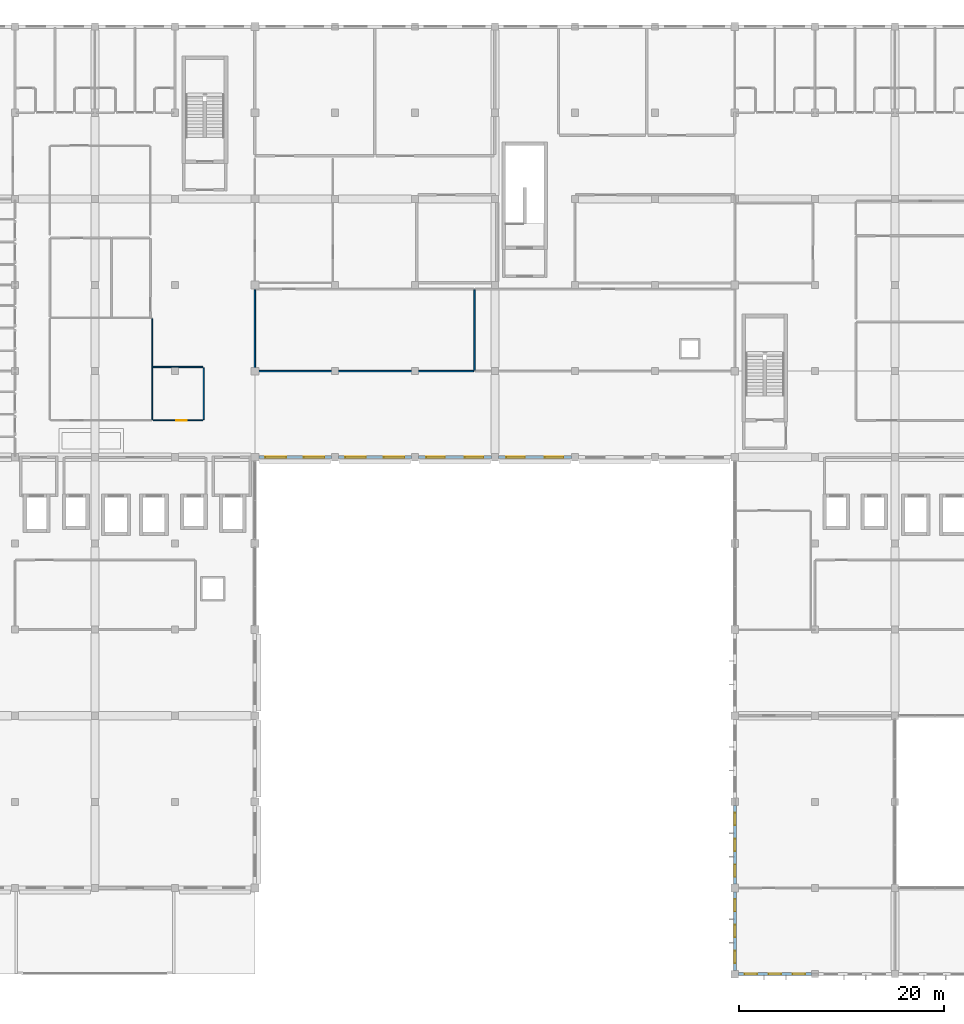
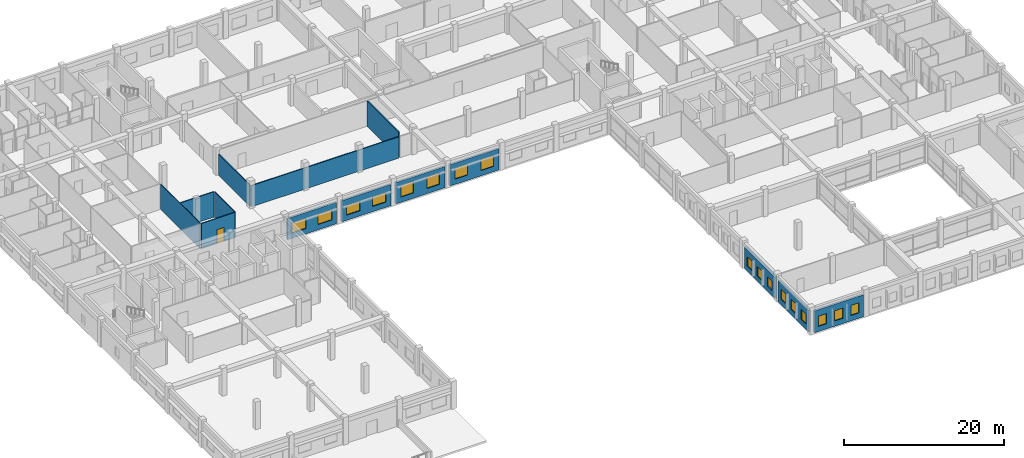
# One storey, part 30 of 53: 17 windows, 14 walls, 1 door, 18 openings.
"""IFC4 building model written with IfcOpenShell, lengths in metres."""

from ifc_helpers import new_model, si_unit, direction, frame, frame_2d, origin, place, context, subcontext, project, spatial, rectangle, extrude, material, layer, layer_set, type_object, element, fill, save


model = new_model("IFC4")

# Units and contexts
model_context = context("Model", 3, precision=1e-05, world=origin(), true_north=direction((0.0, 1.0)))
body_context = subcontext(model_context, "Body", "Model", "MODEL_VIEW")
ifc_project = project(units=[si_unit("LENGTHUNIT", "METRE"), si_unit("AREAUNIT", "SQUARE_METRE"), si_unit("VOLUMEUNIT", "CUBIC_METRE"), si_unit("PLANEANGLEUNIT", "RADIAN"), si_unit("MASSUNIT", "GRAM", prefix="KILO"), si_unit("THERMODYNAMICTEMPERATUREUNIT", "KELVIN"), si_unit("POWERUNIT", "WATT")], contexts=[model_context])

# Site, building, storey
site_placement = place(None, origin())
site = spatial("IfcSite", under=ifc_project, at=site_placement, CompositionType="ELEMENT")
building_placement = place(site_placement, origin())
building = spatial("IfcBuilding", under=site, at=building_placement, Name="Srebrne Nadtorze General Hospital", CompositionType="ELEMENT")
storey_placement = place(building_placement, frame((0.0, 0.0, 18.0)))
storey = spatial("IfcBuildingStorey", under=building, at=storey_placement, Name="L04", CompositionType="ELEMENT", Elevation=18.0)

# Walls
ifc_material_1 = material(Name="Gypsum Healthcare Partition")
ifc_layer_1 = layer(ifc_material_1, 0.139892578125)
ifc_layer_set_1 = layer_set([ifc_layer_1], Name="Gypsum Healthcare Partition")
wall_type_1 = type_object("IfcWallType", Name="Clinical partition 140", PredefinedType="PARTITIONING", material=ifc_layer_set_1)
wall_1_placement = place(storey_placement, frame((54.68505859375, 58.800048828125, 0.0), z_axis=(0.0, 0.0, 1.0), x_axis=(1.0, 0.0, 0.0)))
element("IfcWall", 1, at=wall_1_placement, inside=storey, type_object=wall_type_1, Name="Surgical Recovery Ward wall WL-INT-L04-1894", PredefinedType="PARTITIONING", context=body_context, shape_type="SweptSolid", body=[
    extrude(rectangle(XDim=21.22998046875, YDim=0.139892578125, at=frame_2d((10.614990234375, 0.0))), origin(), (0.0, 0.0, 1.0), 3.235107421875),
])
wall_2_placement = place(storey_placement, frame((54.60009765625, 58.885009765625, 0.0), z_axis=(0.0, 0.0, 1.0), x_axis=(0.0, 1.0, 0.0)))
element("IfcWall", 2, at=wall_2_placement, inside=storey, type_object=wall_type_1, Name="Surgical Recovery Ward wall WL-INT-L04-1895", PredefinedType="PARTITIONING", context=body_context, shape_type="SweptSolid", body=[
    extrude(rectangle(XDim=7.830078125, YDim=0.139892578125, at=frame_2d((3.9150390625, 0.0))), origin(), (0.0, 0.0, 1.0), 3.235107421875),
])
wall_3_placement = place(storey_placement, frame((76.0, 58.885009765625, 0.0), z_axis=(0.0, 0.0, 1.0), x_axis=(0.0, 1.0, 0.0)))
element("IfcWall", 3, at=wall_3_placement, inside=storey, type_object=wall_type_1, Name="Surgical Recovery Ward wall WL-INT-L04-1896", PredefinedType="PARTITIONING", context=body_context, shape_type="SweptSolid", body=[
    extrude(rectangle(XDim=7.830078125, YDim=0.139892578125, at=frame_2d((3.9150390625, 0.0))), origin(), (0.0, 0.0, 1.0), 3.864990234375),
])

# Wall, opening, door
ifc_material_2 = material(Name="Gypsum Healthcare Partition")
ifc_layer_2 = layer(ifc_material_2, 0.1201171875)
ifc_layer_set_2 = layer_set([ifc_layer_2], Name="Gypsum Healthcare Partition")
wall_type_2 = type_object("IfcWallType", Name="En-suite partition 120", PredefinedType="PARTITIONING", material=ifc_layer_set_2)
wall_4_placement = place(storey_placement, frame((44.68505859375, 54.0, 0.0), z_axis=(0.0, 0.0, 1.0), x_axis=(1.0, 0.0, 0.0)))
wall_4 = element("IfcWall", 4, at=wall_4_placement, inside=storey, type_object=wall_type_2, Name="Accessible WC wall WL-INT-L04-1829", PredefinedType="PARTITIONING", context=body_context, shape_type="SweptSolid", body=[
    extrude(rectangle(XDim=4.829833984375, YDim=0.1201171875, at=frame_2d((2.4150390625, 0.0))), origin(), (0.0, 0.0, 1.0), 3.864990234375),
])
opening_1_placement = place(wall_4_placement, frame((2.236083984375, 0.0, 0.0)))
opening_1 = element("IfcOpeningElement", 5, at=opening_1_placement, cuts=wall_4, Name="Opening D-L04-0346", PredefinedType="OPENING", context=body_context, shape_type="SweptSolid", body=[
    extrude(rectangle(XDim=1.02001953125, YDim=2.14990234375, at=frame_2d((0.510009765625, 1.074951171875))), frame((0.0, 0.072021484375, 0.0), z_axis=(0.0, -1.0, 0.0), x_axis=(1.0, 0.0, 0.0)), (0.0, 0.0, 1.0), 0.14404296875),
])
ifc_material_3 = material(Name="Anodised Aluminium", Category="aluminium")
door_type = type_object("IfcDoorType", Name="Single leaf door 1020x2150", OperationType="NOTDEFINED", PredefinedType="DOOR", material=ifc_material_3)
door_placement = place(opening_1_placement, origin())
door = element("IfcDoor", 6, at=door_placement, inside=storey, type_object=door_type, Name="Accessible WC door D-L04-0346", OperationType="SINGLE_SWING_RIGHT", OverallHeight=2.14990234375, OverallWidth=1.02001953125, PredefinedType="DOOR", context=body_context, shape_type="SweptSolid", body=[
    extrude(rectangle(XDim=1.02001953125, YDim=2.14990234375, at=frame_2d((0.510009765625, 1.074951171875))), frame((0.0, 0.02490234375, 0.0), z_axis=(0.0, -1.0, 0.0), x_axis=(1.0, 0.0, 0.0)), (0.0, 0.0, 1.0), 0.050048828125),
])
fill(opening_1, door)

# Walls
wall_5_placement = place(storey_placement, frame((44.68505859375, 59.199951171875, 0.0), z_axis=(0.0, 0.0, 1.0), x_axis=(1.0, 0.0, 0.0)))
element("IfcWall", 7, at=wall_5_placement, inside=storey, type_object=wall_type_2, Name="Accessible WC wall WL-INT-L04-1830", PredefinedType="PARTITIONING", context=body_context, shape_type="SweptSolid", body=[
    extrude(rectangle(XDim=4.829833984375, YDim=0.1201171875, at=frame_2d((2.4150390625, 0.0))), origin(), (0.0, 0.0, 1.0), 3.864990234375),
])
wall_6_placement = place(storey_placement, frame((49.60009765625, 54.0849609375, 0.0), z_axis=(0.0, 0.0, 1.0), x_axis=(0.0, 1.0, 0.0)))
element("IfcWall", 8, at=wall_6_placement, inside=storey, type_object=wall_type_2, Name="Accessible WC wall WL-INT-L04-1831", PredefinedType="PARTITIONING", context=body_context, shape_type="SweptSolid", body=[
    extrude(rectangle(XDim=5.030029296875, YDim=0.1201171875, at=frame_2d((2.51513671875, 0.0))), origin(), (0.0, 0.0, 1.0), 3.864990234375),
])

# Wall, openings, windows
ifc_material_4 = material(Name="Concrete C40/50 precast", Category="concrete")
ifc_layer_3 = layer(ifc_material_4, 0.300048828125)
ifc_layer_set_3 = layer_set([ifc_layer_3], Name="Concrete C40/50 precast")
wall_type_3 = type_object("IfcWallType", Name="Limestone precast wall 300", PredefinedType="STANDARD", material=ifc_layer_set_3)
wall_7_placement = place(storey_placement, frame((101.77490234375, 0.0, 0.0), z_axis=(0.0, 0.0, 1.0), x_axis=(1.0, 0.0, 0.0)))
wall_7 = element("IfcWall", 9, at=wall_7_placement, inside=storey, type_object=wall_type_3, Name="Exterior wall WL-ENV-L04-0344", PredefinedType="STANDARD", context=body_context, shape_type="SweptSolid", body=[
    extrude(rectangle(XDim=7.0751953125, YDim=0.300048828125, at=frame_2d((3.53759765625, 0.0))), origin(), (0.0, 0.0, 1.0), 3.3349609375),
])
opening_2_placement = place(wall_7_placement, frame((0.5849609375, 0.0, 0.800048828125)))
opening_2 = element("IfcOpeningElement", 10, at=opening_2_placement, cuts=wall_7, Name="Opening WN-L04-0507", PredefinedType="OPENING", context=body_context, shape_type="SweptSolid", body=[
    extrude(rectangle(XDim=1.199951171875, YDim=1.550048828125, at=frame_2d((0.60009765625, 0.77490234375))), frame((0.0, 0.162109375, 0.0), z_axis=(0.0, -1.0, 0.0), x_axis=(1.0, 0.0, 0.0)), (0.0, 0.0, 1.0), 0.323974609375),
])
opening_3_placement = place(wall_7_placement, frame((2.925048828125, 0.0, 0.800048828125)))
opening_3 = element("IfcOpeningElement", 11, at=opening_3_placement, cuts=wall_7, Name="Opening WN-L04-0508", PredefinedType="OPENING", context=body_context, shape_type="SweptSolid", body=[
    extrude(rectangle(XDim=1.199951171875, YDim=1.550048828125, at=frame_2d((0.60009765625, 0.77490234375))), frame((0.0, 0.162109375, 0.0), z_axis=(0.0, -1.0, 0.0), x_axis=(1.0, 0.0, 0.0)), (0.0, 0.0, 1.0), 0.323974609375),
])
opening_4_placement = place(wall_7_placement, frame((5.264892578125, 0.0, 0.800048828125)))
opening_4 = element("IfcOpeningElement", 12, at=opening_4_placement, cuts=wall_7, Name="Opening WN-L04-0509", PredefinedType="OPENING", context=body_context, shape_type="SweptSolid", body=[
    extrude(rectangle(XDim=1.199951171875, YDim=1.550048828125, at=frame_2d((0.60009765625, 0.77490234375))), frame((0.0, 0.162109375, 0.0), z_axis=(0.0, -1.0, 0.0), x_axis=(1.0, 0.0, 0.0)), (0.0, 0.0, 1.0), 0.323974609375),
])
ifc_material_5 = material(Name="Triple Low-E Glazing", Category="glass")
window_type_1 = type_object("IfcWindowType", Name="Punched clinical window 1200x1550", PartitioningType="SINGLE_PANEL", PredefinedType="WINDOW", material=ifc_material_5)
window_1_placement = place(opening_2_placement, origin())
window_1 = element("IfcWindow", 13, at=window_1_placement, inside=storey, type_object=window_type_1, Name="Clinical window WN-L04-0507", OverallHeight=1.550048828125, OverallWidth=1.199951171875, PartitioningType="SINGLE_PANEL", PredefinedType="WINDOW", context=body_context, shape_type="SweptSolid", body=[
    extrude(rectangle(XDim=1.199951171875, YDim=1.550048828125, at=frame_2d((0.60009765625, 0.77490234375))), frame((0.0, 0.030029296875, 0.0), z_axis=(0.0, -1.0, 0.0), x_axis=(1.0, 0.0, 0.0)), (0.0, 0.0, 1.0), 0.06005859375),
])
fill(opening_2, window_1)
window_2_placement = place(opening_3_placement, origin())
window_2 = element("IfcWindow", 14, at=window_2_placement, inside=storey, type_object=window_type_1, Name="Clinical window WN-L04-0508", OverallHeight=1.550048828125, OverallWidth=1.199951171875, PartitioningType="SINGLE_PANEL", PredefinedType="WINDOW", context=body_context, shape_type="SweptSolid", body=[
    extrude(rectangle(XDim=1.199951171875, YDim=1.550048828125, at=frame_2d((0.60009765625, 0.77490234375))), frame((0.0, 0.030029296875, 0.0), z_axis=(0.0, -1.0, 0.0), x_axis=(1.0, 0.0, 0.0)), (0.0, 0.0, 1.0), 0.06005859375),
])
fill(opening_3, window_2)
window_3_placement = place(opening_4_placement, origin())
window_3 = element("IfcWindow", 15, at=window_3_placement, inside=storey, type_object=window_type_1, Name="Clinical window WN-L04-0509", OverallHeight=1.550048828125, OverallWidth=1.199951171875, PartitioningType="SINGLE_PANEL", PredefinedType="WINDOW", context=body_context, shape_type="SweptSolid", body=[
    extrude(rectangle(XDim=1.199951171875, YDim=1.550048828125, at=frame_2d((0.60009765625, 0.77490234375))), frame((0.0, 0.030029296875, 0.0), z_axis=(0.0, -1.0, 0.0), x_axis=(1.0, 0.0, 0.0)), (0.0, 0.0, 1.0), 0.06005859375),
])
fill(opening_4, window_3)

wall_8_placement = place(storey_placement, frame((101.39990234375, 0.375, 0.0), z_axis=(0.0, 0.0, 1.0), x_axis=(0.0, 1.0, 0.0)))
wall_8 = element("IfcWall", 16, at=wall_8_placement, inside=storey, type_object=wall_type_3, Name="Exterior wall WL-ENV-L04-0389", PredefinedType="STANDARD", context=body_context, shape_type="SweptSolid", body=[
    extrude(rectangle(XDim=7.64990234375, YDim=0.300048828125, at=frame_2d((3.824951171875, 0.0))), origin(), (0.0, 0.0, 1.0), 3.235107421875),
])
opening_5_placement = place(wall_8_placement, frame((0.705078125, 0.0, 0.800048828125)))
opening_5 = element("IfcOpeningElement", 17, at=opening_5_placement, cuts=wall_8, Name="Opening WN-L04-0597", PredefinedType="OPENING", context=body_context, shape_type="SweptSolid", body=[
    extrude(rectangle(XDim=1.199951171875, YDim=1.550048828125, at=frame_2d((0.60009765625, 0.77490234375))), frame((0.0, 0.162109375, 0.0), z_axis=(0.0, -1.0, 0.0), x_axis=(1.0, 0.0, 0.0)), (0.0, 0.0, 1.0), 0.323974609375),
])
opening_6_placement = place(wall_8_placement, frame((3.22509765625, 0.0, 0.800048828125)))
opening_6 = element("IfcOpeningElement", 18, at=opening_6_placement, cuts=wall_8, Name="Opening WN-L04-0598", PredefinedType="OPENING", context=body_context, shape_type="SweptSolid", body=[
    extrude(rectangle(XDim=1.199951171875, YDim=1.550048828125, at=frame_2d((0.60009765625, 0.77490234375))), frame((0.0, 0.162109375, 0.0), z_axis=(0.0, -1.0, 0.0), x_axis=(1.0, 0.0, 0.0)), (0.0, 0.0, 1.0), 0.323974609375),
])
opening_7_placement = place(wall_8_placement, frame((5.7451171875, 0.0, 0.800048828125)))
opening_7 = element("IfcOpeningElement", 19, at=opening_7_placement, cuts=wall_8, Name="Opening WN-L04-0599", PredefinedType="OPENING", context=body_context, shape_type="SweptSolid", body=[
    extrude(rectangle(XDim=1.199951171875, YDim=1.550048828125, at=frame_2d((0.60009765625, 0.77490234375))), frame((0.0, 0.162109375, 0.0), z_axis=(0.0, -1.0, 0.0), x_axis=(1.0, 0.0, 0.0)), (0.0, 0.0, 1.0), 0.323974609375),
])
window_4_placement = place(opening_5_placement, origin())
window_4 = element("IfcWindow", 20, at=window_4_placement, inside=storey, type_object=window_type_1, Name="Clinical window WN-L04-0597", OverallHeight=1.550048828125, OverallWidth=1.199951171875, PartitioningType="SINGLE_PANEL", PredefinedType="WINDOW", context=body_context, shape_type="SweptSolid", body=[
    extrude(rectangle(XDim=1.199951171875, YDim=1.550048828125, at=frame_2d((0.60009765625, 0.77490234375))), frame((0.0, 0.030029296875, 0.0), z_axis=(0.0, -1.0, 0.0), x_axis=(1.0, 0.0, 0.0)), (0.0, 0.0, 1.0), 0.06005859375),
])
fill(opening_5, window_4)
window_5_placement = place(opening_6_placement, origin())
window_5 = element("IfcWindow", 21, at=window_5_placement, inside=storey, type_object=window_type_1, Name="Clinical window WN-L04-0598", OverallHeight=1.550048828125, OverallWidth=1.199951171875, PartitioningType="SINGLE_PANEL", PredefinedType="WINDOW", context=body_context, shape_type="SweptSolid", body=[
    extrude(rectangle(XDim=1.199951171875, YDim=1.550048828125, at=frame_2d((0.60009765625, 0.77490234375))), frame((0.0, 0.030029296875, 0.0), z_axis=(0.0, -1.0, 0.0), x_axis=(1.0, 0.0, 0.0)), (0.0, 0.0, 1.0), 0.06005859375),
])
fill(opening_6, window_5)
window_6_placement = place(opening_7_placement, origin())
window_6 = element("IfcWindow", 22, at=window_6_placement, inside=storey, type_object=window_type_1, Name="Clinical window WN-L04-0599", OverallHeight=1.550048828125, OverallWidth=1.199951171875, PartitioningType="SINGLE_PANEL", PredefinedType="WINDOW", context=body_context, shape_type="SweptSolid", body=[
    extrude(rectangle(XDim=1.199951171875, YDim=1.550048828125, at=frame_2d((0.60009765625, 0.77490234375))), frame((0.0, 0.030029296875, 0.0), z_axis=(0.0, -1.0, 0.0), x_axis=(1.0, 0.0, 0.0)), (0.0, 0.0, 1.0), 0.06005859375),
])
fill(opening_7, window_6)

wall_9_placement = place(storey_placement, frame((101.39990234375, 8.77490234375, 0.0), z_axis=(0.0, 0.0, 1.0), x_axis=(0.0, 1.0, 0.0)))
wall_9 = element("IfcWall", 23, at=wall_9_placement, inside=storey, type_object=wall_type_3, Name="Exterior wall WL-ENV-L04-0390", PredefinedType="STANDARD", context=body_context, shape_type="SweptSolid", body=[
    extrude(rectangle(XDim=7.650146484375, YDim=0.300048828125, at=frame_2d((3.8251953125, 0.0))), origin(), (0.0, 0.0, 1.0), 3.235107421875),
])
opening_8_placement = place(wall_9_placement, frame((0.705078125, 0.0, 0.800048828125)))
opening_8 = element("IfcOpeningElement", 24, at=opening_8_placement, cuts=wall_9, Name="Opening WN-L04-0600", PredefinedType="OPENING", context=body_context, shape_type="SweptSolid", body=[
    extrude(rectangle(XDim=1.199951171875, YDim=1.39990234375, at=frame_2d((0.60009765625, 0.699951171875))), frame((0.0, 0.162109375, 0.0), z_axis=(0.0, -1.0, 0.0), x_axis=(1.0, 0.0, 0.0)), (0.0, 0.0, 1.0), 0.323974609375),
])
opening_9_placement = place(wall_9_placement, frame((3.22509765625, 0.0, 0.800048828125)))
opening_9 = element("IfcOpeningElement", 25, at=opening_9_placement, cuts=wall_9, Name="Opening WN-L04-0601", PredefinedType="OPENING", context=body_context, shape_type="SweptSolid", body=[
    extrude(rectangle(XDim=1.199951171875, YDim=1.39990234375, at=frame_2d((0.60009765625, 0.699951171875))), frame((0.0, 0.162109375, 0.0), z_axis=(0.0, -1.0, 0.0), x_axis=(1.0, 0.0, 0.0)), (0.0, 0.0, 1.0), 0.323974609375),
])
opening_10_placement = place(wall_9_placement, frame((5.7451171875, 0.0, 0.800048828125)))
opening_10 = element("IfcOpeningElement", 26, at=opening_10_placement, cuts=wall_9, Name="Opening WN-L04-0602", PredefinedType="OPENING", context=body_context, shape_type="SweptSolid", body=[
    extrude(rectangle(XDim=1.199951171875, YDim=1.39990234375, at=frame_2d((0.60009765625, 0.699951171875))), frame((0.0, 0.162109375, 0.0), z_axis=(0.0, -1.0, 0.0), x_axis=(1.0, 0.0, 0.0)), (0.0, 0.0, 1.0), 0.323974609375),
])
ifc_material_6 = material(Name="Triple Low-E Glazing", Category="glass")
window_type_2 = type_object("IfcWindowType", Name="Punched clinical window 1200x1400", PartitioningType="SINGLE_PANEL", PredefinedType="WINDOW", material=ifc_material_6)
window_7_placement = place(opening_8_placement, origin())
window_7 = element("IfcWindow", 27, at=window_7_placement, inside=storey, type_object=window_type_2, Name="Clinical window WN-L04-0600", OverallHeight=1.39990234375, OverallWidth=1.199951171875, PartitioningType="SINGLE_PANEL", PredefinedType="WINDOW", context=body_context, shape_type="SweptSolid", body=[
    extrude(rectangle(XDim=1.199951171875, YDim=1.39990234375, at=frame_2d((0.60009765625, 0.699951171875))), frame((0.0, 0.030029296875, 0.0), z_axis=(0.0, -1.0, 0.0), x_axis=(1.0, 0.0, 0.0)), (0.0, 0.0, 1.0), 0.06005859375),
])
fill(opening_8, window_7)
window_8_placement = place(opening_9_placement, origin())
window_8 = element("IfcWindow", 28, at=window_8_placement, inside=storey, type_object=window_type_2, Name="Clinical window WN-L04-0601", OverallHeight=1.39990234375, OverallWidth=1.199951171875, PartitioningType="SINGLE_PANEL", PredefinedType="WINDOW", context=body_context, shape_type="SweptSolid", body=[
    extrude(rectangle(XDim=1.199951171875, YDim=1.39990234375, at=frame_2d((0.60009765625, 0.699951171875))), frame((0.0, 0.030029296875, 0.0), z_axis=(0.0, -1.0, 0.0), x_axis=(1.0, 0.0, 0.0)), (0.0, 0.0, 1.0), 0.06005859375),
])
fill(opening_9, window_8)
window_9_placement = place(opening_10_placement, origin())
window_9 = element("IfcWindow", 29, at=window_9_placement, inside=storey, type_object=window_type_2, Name="Clinical window WN-L04-0602", OverallHeight=1.39990234375, OverallWidth=1.199951171875, PartitioningType="SINGLE_PANEL", PredefinedType="WINDOW", context=body_context, shape_type="SweptSolid", body=[
    extrude(rectangle(XDim=1.199951171875, YDim=1.39990234375, at=frame_2d((0.60009765625, 0.699951171875))), frame((0.0, 0.030029296875, 0.0), z_axis=(0.0, -1.0, 0.0), x_axis=(1.0, 0.0, 0.0)), (0.0, 0.0, 1.0), 0.06005859375),
])
fill(opening_10, window_9)

# Wall
ifc_material_7 = material(Name="Gypsum Healthcare Partition")
ifc_layer_4 = layer(ifc_material_7, 0.10009765625)
ifc_layer_set_4 = layer_set([ifc_layer_4], Name="Gypsum Healthcare Partition")
wall_type_4 = type_object("IfcWallType", Name="Shaft lining wall 100", PredefinedType="PARTITIONING", material=ifc_layer_set_4)
wall_10_placement = place(storey_placement, frame((44.60009765625, 54.0849609375, 0.0), z_axis=(0.0, 0.0, 1.0), x_axis=(0.0, 1.0, 0.0)))
element("IfcWall", 30, at=wall_10_placement, inside=storey, type_object=wall_type_4, Name="Nursing Station wall WL-INT-L04-1820", PredefinedType="PARTITIONING", context=body_context, shape_type="SweptSolid", body=[
    extrude(rectangle(XDim=9.830078125, YDim=0.10009765625, at=frame_2d((4.9150390625, 0.0))), origin(), (0.0, 0.0, 1.0), 3.864990234375),
])

# Wall, openings, windows
ifc_material_8 = material(Name="Concrete C35/45 precast", Category="concrete")
ifc_layer_5 = layer(ifc_material_8, 0.280029296875)
ifc_layer_set_5 = layer_set([ifc_layer_5], Name="Concrete C35/45 precast")
wall_type_5 = type_object("IfcWallType", Name="Spandrel wall 280", PredefinedType="STANDARD", material=ifc_layer_set_5)
wall_11_placement = place(storey_placement, frame((54.97509765625, 50.39990234375, 0.0), z_axis=(0.0, 0.0, 1.0), x_axis=(1.0, 0.0, 0.0)))
wall_11 = element("IfcWall", 31, at=wall_11_placement, inside=storey, type_object=wall_type_5, Name="Exterior wall WL-ENV-L04-0354", PredefinedType="STANDARD", context=body_context, shape_type="SweptSolid", body=[
    extrude(rectangle(XDim=7.074951171875, YDim=0.280029296875, at=frame_2d((3.53759765625, 0.0))), origin(), (0.0, 0.0, 1.0), 3.235107421875),
])
opening_11_placement = place(wall_11_placement, frame((0.653076171875, 0.0, 0.800048828125)))
opening_11 = element("IfcOpeningElement", 32, at=opening_11_placement, cuts=wall_11, Name="Opening WN-L04-0531", PredefinedType="OPENING", context=body_context, shape_type="SweptSolid", body=[
    extrude(rectangle(XDim=2.0, YDim=1.550048828125, at=frame_2d((1.0, 0.77490234375))), frame((0.0, 0.15185546875, 0.0), z_axis=(0.0, -1.0, 0.0), x_axis=(1.0, 0.0, 0.0)), (0.0, 0.0, 1.0), 0.303955078125),
])
opening_12_placement = place(wall_11_placement, frame((4.39697265625, 0.0, 0.800048828125)))
opening_12 = element("IfcOpeningElement", 33, at=opening_12_placement, cuts=wall_11, Name="Opening WN-L04-0532", PredefinedType="OPENING", context=body_context, shape_type="SweptSolid", body=[
    extrude(rectangle(XDim=2.0, YDim=1.550048828125, at=frame_2d((1.0, 0.77490234375))), frame((0.0, 0.15185546875, 0.0), z_axis=(0.0, -1.0, 0.0), x_axis=(1.0, 0.0, 0.0)), (0.0, 0.0, 1.0), 0.303955078125),
])
ifc_material_9 = material(Name="Triple Low-E Glazing", Category="glass")
window_type_3 = type_object("IfcWindowType", Name="Punched clinical window 2000x1550", PartitioningType="DOUBLE_PANEL_VERTICAL", PredefinedType="WINDOW", material=ifc_material_9)
window_10_placement = place(opening_11_placement, origin())
window_10 = element("IfcWindow", 34, at=window_10_placement, inside=storey, type_object=window_type_3, Name="Clinical window WN-L04-0531", OverallHeight=1.550048828125, OverallWidth=2.0, PartitioningType="DOUBLE_PANEL_VERTICAL", PredefinedType="WINDOW", context=body_context, shape_type="SweptSolid", body=[
    extrude(rectangle(XDim=2.0, YDim=1.550048828125, at=frame_2d((1.0, 0.77490234375))), frame((0.0, 0.030029296875, 0.0), z_axis=(0.0, -1.0, 0.0), x_axis=(1.0, 0.0, 0.0)), (0.0, 0.0, 1.0), 0.06005859375),
])
fill(opening_11, window_10)
window_11_placement = place(opening_12_placement, origin())
window_11 = element("IfcWindow", 35, at=window_11_placement, inside=storey, type_object=window_type_3, Name="Clinical window WN-L04-0532", OverallHeight=1.550048828125, OverallWidth=2.0, PartitioningType="DOUBLE_PANEL_VERTICAL", PredefinedType="WINDOW", context=body_context, shape_type="SweptSolid", body=[
    extrude(rectangle(XDim=2.0, YDim=1.550048828125, at=frame_2d((1.0, 0.77490234375))), frame((0.0, 0.030029296875, 0.0), z_axis=(0.0, -1.0, 0.0), x_axis=(1.0, 0.0, 0.0)), (0.0, 0.0, 1.0), 0.06005859375),
])
fill(opening_12, window_11)

wall_12_placement = place(storey_placement, frame((62.75, 50.39990234375, 0.0), z_axis=(0.0, 0.0, 1.0), x_axis=(1.0, 0.0, 0.0)))
wall_12 = element("IfcWall", 36, at=wall_12_placement, inside=storey, type_object=wall_type_5, Name="Exterior wall WL-ENV-L04-0355", PredefinedType="STANDARD", context=body_context, shape_type="SweptSolid", body=[
    extrude(rectangle(XDim=7.10009765625, YDim=0.280029296875, at=frame_2d((3.550048828125, 0.0))), origin(), (0.0, 0.0, 1.0), 3.235107421875),
])
opening_13_placement = place(wall_12_placement, frame((0.677978515625, 0.0, 0.800048828125)))
opening_13 = element("IfcOpeningElement", 37, at=opening_13_placement, cuts=wall_12, Name="Opening WN-L04-0533", PredefinedType="OPENING", context=body_context, shape_type="SweptSolid", body=[
    extrude(rectangle(XDim=2.0, YDim=1.449951171875, at=frame_2d((1.0, 0.72509765625))), frame((0.0, 0.15185546875, 0.0), z_axis=(0.0, -1.0, 0.0), x_axis=(1.0, 0.0, 0.0)), (0.0, 0.0, 1.0), 0.303955078125),
])
opening_14_placement = place(wall_12_placement, frame((4.422119140625, 0.0, 0.800048828125)))
opening_14 = element("IfcOpeningElement", 38, at=opening_14_placement, cuts=wall_12, Name="Opening WN-L04-0534", PredefinedType="OPENING", context=body_context, shape_type="SweptSolid", body=[
    extrude(rectangle(XDim=2.0, YDim=1.449951171875, at=frame_2d((1.0, 0.72509765625))), frame((0.0, 0.15185546875, 0.0), z_axis=(0.0, -1.0, 0.0), x_axis=(1.0, 0.0, 0.0)), (0.0, 0.0, 1.0), 0.303955078125),
])
ifc_material_10 = material(Name="Triple Low-E Glazing", Category="glass")
window_type_4 = type_object("IfcWindowType", Name="Punched clinical window 2000x1450", PartitioningType="DOUBLE_PANEL_VERTICAL", PredefinedType="WINDOW", material=ifc_material_10)
window_12_placement = place(opening_13_placement, origin())
window_12 = element("IfcWindow", 39, at=window_12_placement, inside=storey, type_object=window_type_4, Name="Clinical window WN-L04-0533", OverallHeight=1.449951171875, OverallWidth=2.0, PartitioningType="DOUBLE_PANEL_VERTICAL", PredefinedType="WINDOW", context=body_context, shape_type="SweptSolid", body=[
    extrude(rectangle(XDim=2.0, YDim=1.449951171875, at=frame_2d((1.0, 0.72509765625))), frame((0.0, 0.030029296875, 0.0), z_axis=(0.0, -1.0, 0.0), x_axis=(1.0, 0.0, 0.0)), (0.0, 0.0, 1.0), 0.06005859375),
])
fill(opening_13, window_12)
window_13_placement = place(opening_14_placement, origin())
window_13 = element("IfcWindow", 40, at=window_13_placement, inside=storey, type_object=window_type_4, Name="Clinical window WN-L04-0534", OverallHeight=1.449951171875, OverallWidth=2.0, PartitioningType="DOUBLE_PANEL_VERTICAL", PredefinedType="WINDOW", context=body_context, shape_type="SweptSolid", body=[
    extrude(rectangle(XDim=2.0, YDim=1.449951171875, at=frame_2d((1.0, 0.72509765625))), frame((0.0, 0.030029296875, 0.0), z_axis=(0.0, -1.0, 0.0), x_axis=(1.0, 0.0, 0.0)), (0.0, 0.0, 1.0), 0.06005859375),
])
fill(opening_14, window_13)

wall_13_placement = place(storey_placement, frame((70.550048828125, 50.39990234375, 0.0), z_axis=(0.0, 0.0, 1.0), x_axis=(1.0, 0.0, 0.0)))
wall_13 = element("IfcWall", 41, at=wall_13_placement, inside=storey, type_object=wall_type_5, Name="Exterior wall WL-ENV-L04-0356", PredefinedType="STANDARD", context=body_context, shape_type="SweptSolid", body=[
    extrude(rectangle(XDim=7.099853515625, YDim=0.280029296875, at=frame_2d((3.5498046875, 0.0))), origin(), (0.0, 0.0, 1.0), 3.235107421875),
])
opening_15_placement = place(wall_13_placement, frame((0.778076171875, 0.0, 0.800048828125)))
opening_15 = element("IfcOpeningElement", 42, at=opening_15_placement, cuts=wall_13, Name="Opening WN-L04-0535", PredefinedType="OPENING", context=body_context, shape_type="SweptSolid", body=[
    extrude(rectangle(XDim=1.800048828125, YDim=1.75, at=frame_2d((0.89990234375, 0.875))), frame((0.0, 0.15185546875, 0.0), z_axis=(0.0, -1.0, 0.0), x_axis=(1.0, 0.0, 0.0)), (0.0, 0.0, 1.0), 0.303955078125),
])
opening_16_placement = place(wall_13_placement, frame((4.52197265625, 0.0, 0.800048828125)))
opening_16 = element("IfcOpeningElement", 43, at=opening_16_placement, cuts=wall_13, Name="Opening WN-L04-0536", PredefinedType="OPENING", context=body_context, shape_type="SweptSolid", body=[
    extrude(rectangle(XDim=1.800048828125, YDim=1.75, at=frame_2d((0.89990234375, 0.875))), frame((0.0, 0.15185546875, 0.0), z_axis=(0.0, -1.0, 0.0), x_axis=(1.0, 0.0, 0.0)), (0.0, 0.0, 1.0), 0.303955078125),
])
ifc_material_11 = material(Name="Triple Low-E Glazing", Category="glass")
window_type_5 = type_object("IfcWindowType", Name="Punched clinical window 1800x1750", PartitioningType="DOUBLE_PANEL_VERTICAL", PredefinedType="WINDOW", material=ifc_material_11)
window_14_placement = place(opening_15_placement, origin())
window_14 = element("IfcWindow", 44, at=window_14_placement, inside=storey, type_object=window_type_5, Name="Clinical window WN-L04-0535", OverallHeight=1.75, OverallWidth=1.800048828125, PartitioningType="DOUBLE_PANEL_VERTICAL", PredefinedType="WINDOW", context=body_context, shape_type="SweptSolid", body=[
    extrude(rectangle(XDim=1.800048828125, YDim=1.75, at=frame_2d((0.89990234375, 0.875))), frame((0.0, 0.030029296875, 0.0), z_axis=(0.0, -1.0, 0.0), x_axis=(1.0, 0.0, 0.0)), (0.0, 0.0, 1.0), 0.06005859375),
])
fill(opening_15, window_14)
window_15_placement = place(opening_16_placement, origin())
window_15 = element("IfcWindow", 45, at=window_15_placement, inside=storey, type_object=window_type_5, Name="Clinical window WN-L04-0536", OverallHeight=1.75, OverallWidth=1.800048828125, PartitioningType="DOUBLE_PANEL_VERTICAL", PredefinedType="WINDOW", context=body_context, shape_type="SweptSolid", body=[
    extrude(rectangle(XDim=1.800048828125, YDim=1.75, at=frame_2d((0.89990234375, 0.875))), frame((0.0, 0.030029296875, 0.0), z_axis=(0.0, -1.0, 0.0), x_axis=(1.0, 0.0, 0.0)), (0.0, 0.0, 1.0), 0.06005859375),
])
fill(opening_16, window_15)

wall_14_placement = place(storey_placement, frame((78.35009765625, 50.39990234375, 0.0), z_axis=(0.0, 0.0, 1.0), x_axis=(1.0, 0.0, 0.0)))
wall_14 = element("IfcWall", 46, at=wall_14_placement, inside=storey, type_object=wall_type_5, Name="Exterior wall WL-ENV-L04-0357", PredefinedType="STANDARD", context=body_context, shape_type="SweptSolid", body=[
    extrude(rectangle(XDim=7.099853515625, YDim=0.280029296875, at=frame_2d((3.5498046875, 0.0))), origin(), (0.0, 0.0, 1.0), 3.235107421875),
])
opening_17_placement = place(wall_14_placement, frame((0.778076171875, 0.0, 0.800048828125)))
opening_17 = element("IfcOpeningElement", 47, at=opening_17_placement, cuts=wall_14, Name="Opening WN-L04-0537", PredefinedType="OPENING", context=body_context, shape_type="SweptSolid", body=[
    extrude(rectangle(XDim=1.800048828125, YDim=1.64990234375, at=frame_2d((0.89990234375, 0.824951171875))), frame((0.0, 0.15185546875, 0.0), z_axis=(0.0, -1.0, 0.0), x_axis=(1.0, 0.0, 0.0)), (0.0, 0.0, 1.0), 0.303955078125),
])
opening_18_placement = place(wall_14_placement, frame((4.52197265625, 0.0, 0.800048828125)))
opening_18 = element("IfcOpeningElement", 48, at=opening_18_placement, cuts=wall_14, Name="Opening WN-L04-0538", PredefinedType="OPENING", context=body_context, shape_type="SweptSolid", body=[
    extrude(rectangle(XDim=1.800048828125, YDim=1.64990234375, at=frame_2d((0.89990234375, 0.824951171875))), frame((0.0, 0.15185546875, 0.0), z_axis=(0.0, -1.0, 0.0), x_axis=(1.0, 0.0, 0.0)), (0.0, 0.0, 1.0), 0.303955078125),
])
ifc_material_12 = material(Name="Triple Low-E Glazing", Category="glass")
window_type_6 = type_object("IfcWindowType", Name="Punched clinical window 1800x1650", PartitioningType="DOUBLE_PANEL_VERTICAL", PredefinedType="WINDOW", material=ifc_material_12)
window_16_placement = place(opening_17_placement, origin())
window_16 = element("IfcWindow", 49, at=window_16_placement, inside=storey, type_object=window_type_6, Name="Clinical window WN-L04-0537", OverallHeight=1.64990234375, OverallWidth=1.800048828125, PartitioningType="DOUBLE_PANEL_VERTICAL", PredefinedType="WINDOW", context=body_context, shape_type="SweptSolid", body=[
    extrude(rectangle(XDim=1.800048828125, YDim=1.64990234375, at=frame_2d((0.89990234375, 0.824951171875))), frame((0.0, 0.030029296875, 0.0), z_axis=(0.0, -1.0, 0.0), x_axis=(1.0, 0.0, 0.0)), (0.0, 0.0, 1.0), 0.06005859375),
])
fill(opening_17, window_16)
window_17_placement = place(opening_18_placement, origin())
window_17 = element("IfcWindow", 50, at=window_17_placement, inside=storey, type_object=window_type_6, Name="Clinical window WN-L04-0538", OverallHeight=1.64990234375, OverallWidth=1.800048828125, PartitioningType="DOUBLE_PANEL_VERTICAL", PredefinedType="WINDOW", context=body_context, shape_type="SweptSolid", body=[
    extrude(rectangle(XDim=1.800048828125, YDim=1.64990234375, at=frame_2d((0.89990234375, 0.824951171875))), frame((0.0, 0.030029296875, 0.0), z_axis=(0.0, -1.0, 0.0), x_axis=(1.0, 0.0, 0.0)), (0.0, 0.0, 1.0), 0.06005859375),
])
fill(opening_18, window_17)

save(model, "model.ifc")
